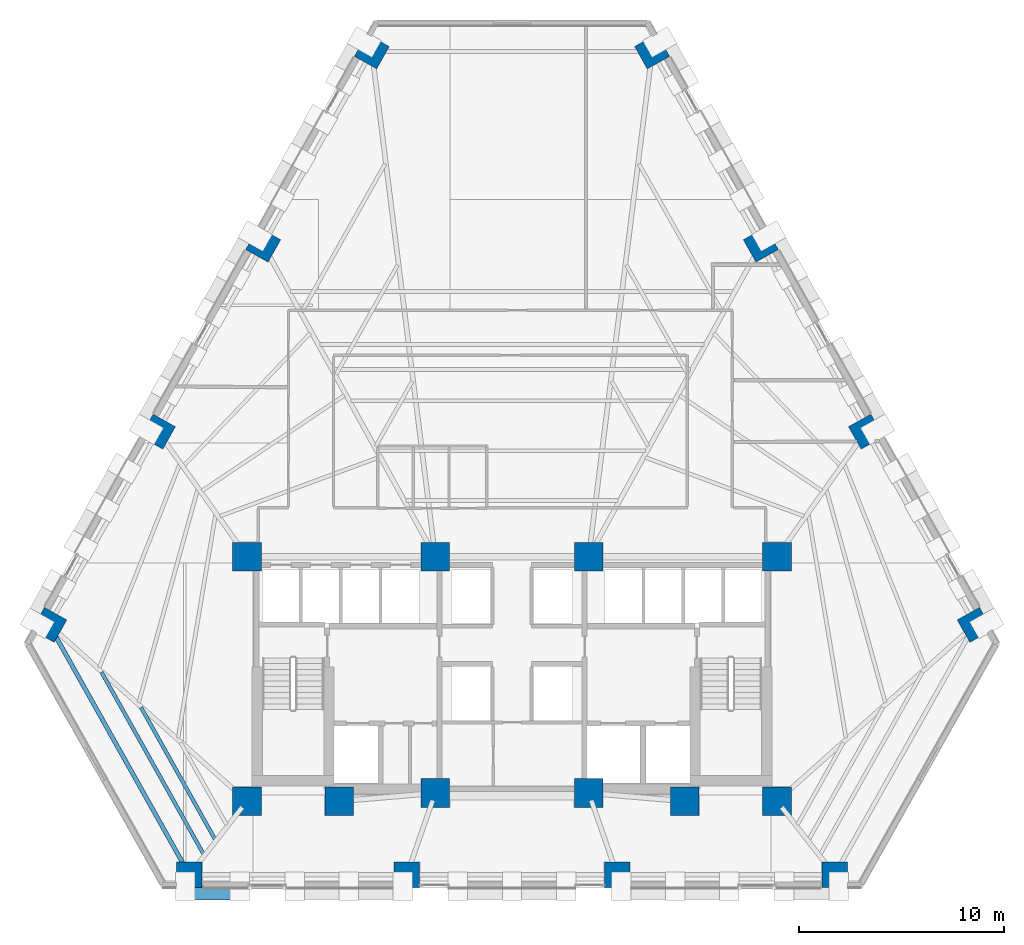
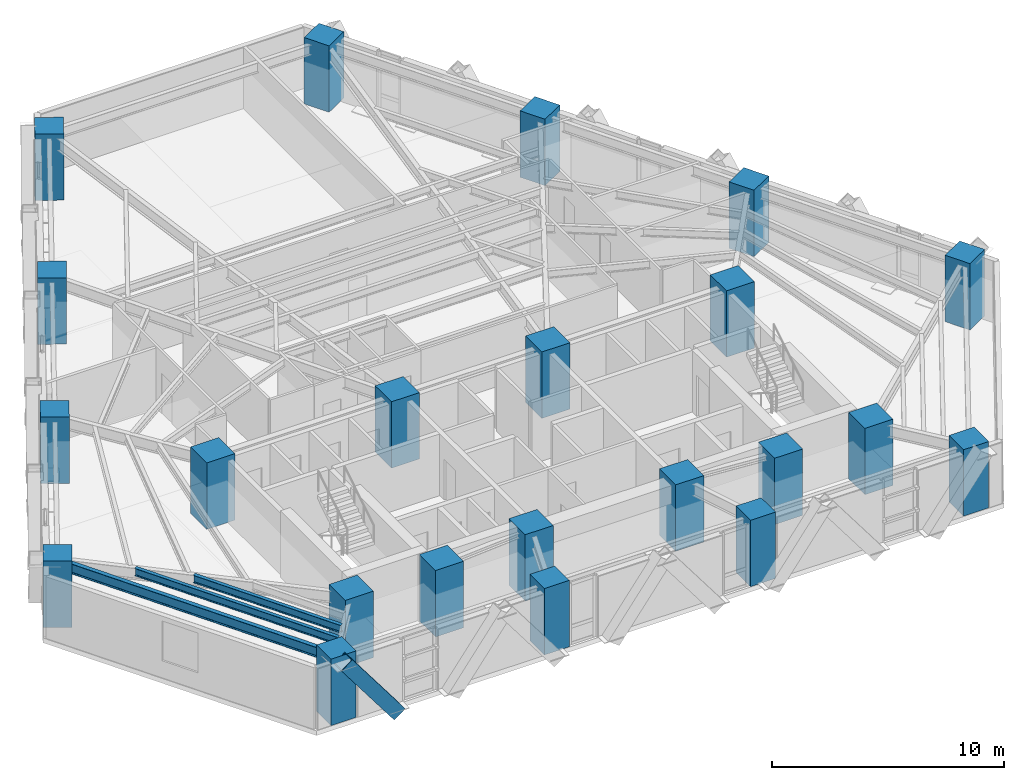
# One storey, part 1 of 13: 22 columns, 3 beams, 1 member.
"""IFC4 building model written with IfcOpenShell, lengths in metres."""

from ifc_helpers import new_model, si_unit, direction, frame, origin, origin_2d, place, context, subcontext, project, spatial, rectangle, hollow_rectangle, i_section, extrude, material, material_profile, profile_set, type_object, element, save


model = new_model("IFC4")

# Units and contexts
model_context = context("Model", 3, precision=1e-05, world=origin(), true_north=direction((0.0, 1.0)))
body_context = subcontext(model_context, "Body", "Model", "MODEL_VIEW")
ifc_project = project(units=[si_unit("LENGTHUNIT", "METRE"), si_unit("AREAUNIT", "SQUARE_METRE"), si_unit("VOLUMEUNIT", "CUBIC_METRE"), si_unit("PLANEANGLEUNIT", "RADIAN"), si_unit("MASSUNIT", "GRAM", prefix="KILO")], contexts=[model_context])

# Site, building, storey
site_placement = place(None, origin())
site = spatial("IfcSite", under=ifc_project, at=site_placement, CompositionType="ELEMENT")
building_placement = place(site_placement, origin())
building = spatial("IfcBuilding", under=site, at=building_placement, Name="Quenlor Broadcast Tower", CompositionType="ELEMENT")
storey_placement = place(building_placement, frame((0.0, 0.0, 45.10009765625)))
storey = spatial("IfcBuildingStorey", under=building, at=storey_placement, Name="L11", CompositionType="ELEMENT", Elevation=45.10009765625)

# Columns
ifc_material_1 = material(Name="Concrete C65/80", Category="concrete")
ifc_material_profile_1 = material_profile(ifc_material_1, rectangle(XDim=1.39990234375, YDim=1.39990234375, at=origin_2d()))
ifc_profile_set_1 = profile_set([ifc_material_profile_1], Name="Concrete C65/80 RC1400x1400")
column_type_1 = type_object("IfcColumnType", Name="Core Corner Column Lower Concrete C65/80 1400", PredefinedType="COLUMN", material=ifc_profile_set_1)
for number, where, z_axis, x_axis, name in (
    (1, (-12.949951171875, -16.75, 0.0), (0.0, 0.0, 1.0), (1.0, 0.0, 0.0), "L11 Core Column CC1"),
    (2, (-8.449951171875, -16.75, 0.0), (0.0, 0.0, 1.0), (1.0, 0.0, 0.0), "L11 Core Column CC2"),
    (3, (-3.75, -16.35009765625, 0.0), (0.0, 0.0, 1.0), (1.0, 0.0, 0.0), "L11 Core Column CC3"),
    (4, (3.75, -16.35009765625, 0.0), (0.0, 0.0, 1.0), (1.0, 0.0, 0.0), "L11 Core Column CC4"),
    (5, (8.449951171875, -16.75, 0.0), (0.0, 0.0, 1.0), (1.0, 0.0, 0.0), "L11 Core Column CC5"),
    (6, (12.949951171875, -16.75, 0.0), (0.0, 0.0, 1.0), (1.0, 0.0, 0.0), "L11 Core Column CC6"),
    (7, (-12.949951171875, -4.800048828125, 0.0), (0.0, 0.0, 1.0), (1.0, 0.0, 0.0), "L11 Core Column CC7"),
    (8, (-3.75, -4.800048828125, 0.0), (0.0, 0.0, 1.0), (1.0, 0.0, 0.0), "L11 Core Column CC8"),
    (9, (3.75, -4.800048828125, 0.0), (0.0, 0.0, 1.0), (1.0, 0.0, 0.0), "L11 Core Column CC9"),
    (10, (12.949951171875, -4.800048828125, 0.0), (0.0, 0.0, 1.0), (1.0, 0.0, 0.0), "L11 Core Column CC10"),
):
    element("IfcColumn", number, at=place(storey_placement, frame(where, z_axis=z_axis, x_axis=x_axis)), inside=storey, type_object=column_type_1, Name=name, PredefinedType="COLUMN", context=body_context, shape_type="SweptSolid", body=[
        extrude(rectangle(XDim=1.39990234375, YDim=1.39990234375, at=origin_2d()), origin(), (0.0, 0.0, 1.0), 3.5),
    ])
ifc_material_2 = material(Name="Concrete C65/80", Category="concrete")
ifc_material_profile_2 = material_profile(ifc_material_2, rectangle(XDim=1.25, YDim=1.25, at=origin_2d()))
ifc_profile_set_2 = profile_set([ifc_material_profile_2], Name="Concrete C65/80 RC1250x1250")
column_type_2 = type_object("IfcColumnType", Name="Tower Perimeter Column Z1 Concrete C65/80 1250", PredefinedType="COLUMN", material=ifc_profile_set_2)
for number, where, z_axis, x_axis, name in (
    (11, (-15.76513671875, -20.35009765625, 0.0), (0.0, 0.0, 1.0), (0.0, 1.0, 0.0), "L11 Perimeter Column S1"),
    (12, (-5.140869140625, -20.35009765625, 0.0), (0.0, 0.0, 1.0), (0.0, 1.0, 0.0), "L11 Perimeter Column S2"),
    (13, (5.140869140625, -20.35009765625, 0.0), (0.0, 0.0, 1.0), (0.0, 1.0, 0.0), "L11 Perimeter Column S3"),
    (14, (15.76513671875, -20.35009765625, 0.0), (0.0, 0.0, 1.0), (0.0, 1.0, 0.0), "L11 Perimeter Column S4"),
    (15, (22.6162109375, -8.132080078125, 0.0), (0.0, 0.0, 1.0), (0.871575139605, 0.490261946333, 0.0), "L11 Perimeter Column NE1"),
    (16, (17.303955078125, 1.311767578125, 0.0), (0.0, 0.0, 1.0), (0.871575139605, 0.490261946333, 0.0), "L11 Perimeter Column NE2"),
    (17, (12.1630859375, 10.450927734375, 0.0), (0.0, 0.0, 1.0), (0.871575139605, 0.490261946333, 0.0), "L11 Perimeter Column NE3"),
    (18, (6.850830078125, 19.894775390625, 0.0), (0.0, 0.0, 1.0), (0.871575139605, 0.490261946333, 0.0), "L11 Perimeter Column NE4"),
    (19, (-6.850830078125, 19.894775390625, 0.0), (0.0, 0.0, 1.0), (-0.871575139605, 0.490261946333, 0.0), "L11 Perimeter Column NW1"),
    (20, (-12.1630859375, 10.450927734375, 0.0), (0.0, 0.0, 1.0), (-0.871575139605, 0.490261946333, 0.0), "L11 Perimeter Column NW2"),
    (21, (-17.303955078125, 1.311767578125, 0.0), (0.0, 0.0, 1.0), (-0.871575139605, 0.490261946333, 0.0), "L11 Perimeter Column NW3"),
    (22, (-22.6162109375, -8.132080078125, 0.0), (0.0, 0.0, 1.0), (-0.871575139605, 0.490261946333, 0.0), "L11 Perimeter Column NW4"),
):
    element("IfcColumn", number, at=place(storey_placement, frame(where, z_axis=z_axis, x_axis=x_axis)), inside=storey, type_object=column_type_2, Name=name, PredefinedType="COLUMN", context=body_context, shape_type="SweptSolid", body=[
        extrude(rectangle(XDim=1.25, YDim=1.25, at=origin_2d()), origin(), (0.0, 0.0, 1.0), 3.5),
    ])

# Member
ifc_material_3 = material(Name="Steel S355", Category="steel")
ifc_material_profile_3 = material_profile(ifc_material_3, hollow_rectangle(XDim=0.679931640625, YDim=0.679931640625, WallThickness=0.034912109375, at=origin_2d()))
ifc_profile_set_3 = profile_set([ifc_material_profile_3], Name="Steel S355 RHS680x680x35")
member_type = type_object("IfcMemberType", Name="Perimeter Diagonal Lattice Brace Z1 Steel S355 RHS680x35", PredefinedType="BRACE", material=ifc_profile_set_3)
member_placement = place(storey_placement, frame((-13.31689453125, -21.235107421875, -0.1201171875), z_axis=(-0.600463982679, 0.0, 0.799651802665), x_axis=(0.0, -1.0, 0.0)))
element("IfcMember", 23, at=member_placement, inside=storey, type_object=member_type, Name="L11 Perimeter Diamond Lattice S-C4S", PredefinedType="BRACE", context=body_context, shape_type="SweptSolid", body=[
    extrude(hollow_rectangle(XDim=0.679931640625, YDim=0.679931640625, WallThickness=0.034912109375, at=origin_2d()), origin(), (0.0, 0.0, 1.0), 4.376953125),
])

# Beams
ifc_material_4 = material(Name="Steel S355", Category="steel")
ifc_material_profile_4 = material_profile(ifc_material_4, i_section(OverallWidth=0.208984375, OverallDepth=0.532958984375, WebThickness=0.01025390625, FlangeThickness=0.015625, FilletRadius=0.013916015625, at=origin_2d()))
ifc_profile_set_4 = profile_set([ifc_material_profile_4], Name="Steel S355 530UB92.4")
beam_type_1 = type_object("IfcBeamType", Name="Perimeter Spandrel Beam Z1 Steel S355 530UB92.4", PredefinedType="SPANDREL", material=ifc_profile_set_4)
beam_1_placement = place(storey_placement, frame((-22.41552734375, -8.48974609375, 2.9833984375), z_axis=(0.489090917871, -0.87223280955, 0.0), x_axis=(0.87223280955, 0.489090917871, 0.0)))
element("IfcBeam", 24, at=beam_1_placement, inside=storey, type_object=beam_type_1, Name="L11 Spandrel Beam NW4-S1", PredefinedType="SPANDREL", context=body_context, shape_type="SweptSolid", body=[
    extrude(i_section(OverallWidth=0.208984375, OverallDepth=0.532958984375, WebThickness=0.01025390625, FlangeThickness=0.015625, FilletRadius=0.013916015625, at=origin_2d()), origin(), (0.0, 0.0, 1.0), 13.187744140625),
])
ifc_material_5 = material(Name="Steel S355", Category="steel")
ifc_material_profile_5 = material_profile(ifc_material_5, i_section(OverallWidth=0.177978515625, OverallDepth=0.406494140625, WebThickness=0.0078125, FlangeThickness=0.0126953125, FilletRadius=0.011474609375, at=origin_2d()))
ifc_profile_set_5 = profile_set([ifc_material_profile_5], Name="Steel S355 410UB59.7")
beam_type_2 = type_object("IfcBeamType", Name="Tower Composite Joist Z1 Steel S355 410UB59.7", PredefinedType="JOIST", material=ifc_profile_set_5)
beam_2_placement = place(storey_placement, frame((-14.50927734375, -18.624267578125, 3.046630859375), z_axis=(-0.489088249322, 0.872234305892, 0.0), x_axis=(-0.872234305892, -0.489088249322, 0.0)))
element("IfcBeam", 25, at=beam_2_placement, inside=storey, type_object=beam_type_2, Name="L11 Secondary Composite Joist 20", PredefinedType="JOIST", context=body_context, shape_type="SweptSolid", body=[
    extrude(i_section(OverallWidth=0.177978515625, OverallDepth=0.406494140625, WebThickness=0.0078125, FlangeThickness=0.0126953125, FilletRadius=0.011474609375, at=origin_2d()), origin(), (0.0, 0.0, 1.0), 7.404296875),
])
beam_3_placement = place(storey_placement, frame((-15.072265625, -19.34423828125, 3.046630859375), z_axis=(-0.489081877778, 0.872237878579, 0.0), x_axis=(-0.872237878579, -0.489081877778, 0.0)))
element("IfcBeam", 26, at=beam_3_placement, inside=storey, type_object=beam_type_2, Name="L11 Secondary Composite Joist 21", PredefinedType="JOIST", context=body_context, shape_type="SweptSolid", body=[
    extrude(i_section(OverallWidth=0.177978515625, OverallDepth=0.406494140625, WebThickness=0.0078125, FlangeThickness=0.0126953125, FilletRadius=0.011474609375, at=origin_2d()), origin(), (0.0, 0.0, 1.0), 10.205810546875),
])

save(model, "model.ifc")
